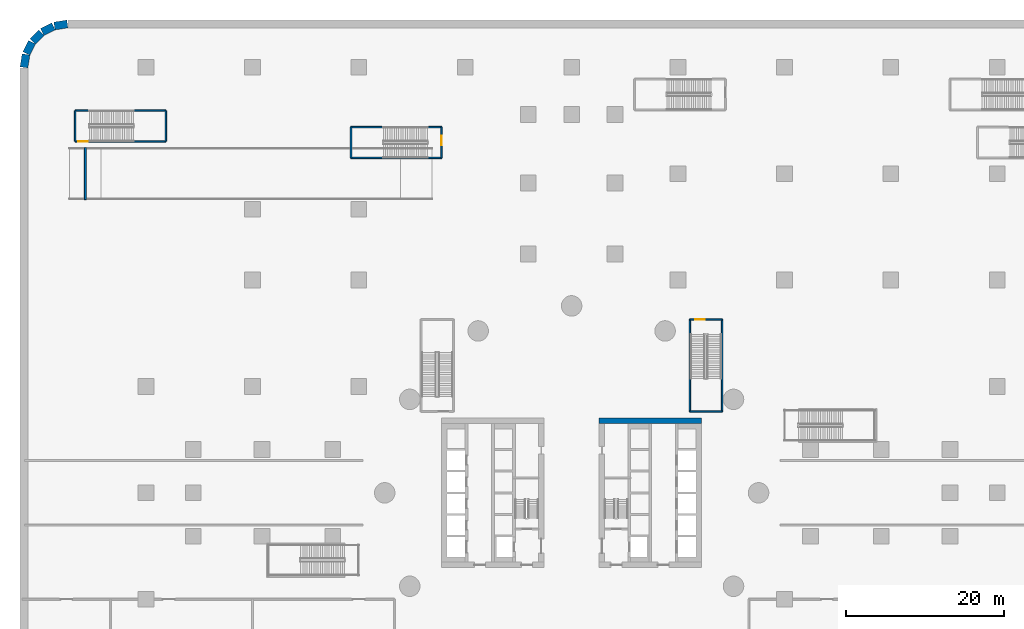
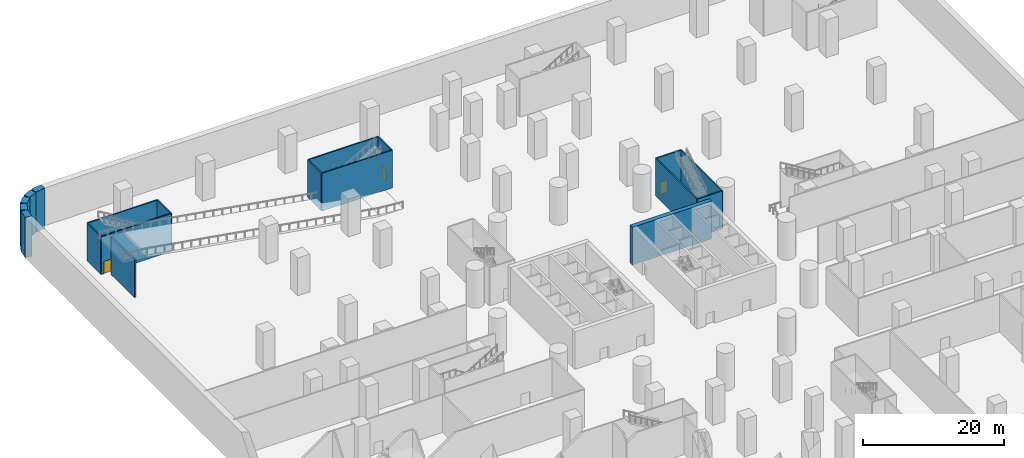
# One storey, part 8 of 30: 19 walls, 3 doors, 3 openings.
"""IFC4 building model written with IfcOpenShell, lengths in metres."""

from ifc_helpers import new_model, si_unit, direction, frame, frame_2d, origin, place, context, subcontext, project, spatial, rectangle, extrude, material, layer, layer_set, type_object, element, fill, save


model = new_model("IFC4")

# Units and contexts
model_context = context("Model", 3, precision=1e-05, world=origin(), true_north=direction((0.0, 1.0)))
body_context = subcontext(model_context, "Body", "Model", "MODEL_VIEW")
ifc_project = project(units=[si_unit("LENGTHUNIT", "METRE"), si_unit("AREAUNIT", "SQUARE_METRE"), si_unit("VOLUMEUNIT", "CUBIC_METRE"), si_unit("PLANEANGLEUNIT", "RADIAN"), si_unit("MASSUNIT", "GRAM", prefix="KILO")], contexts=[model_context])

# Site, building, storey
site_placement = place(None, origin())
site = spatial("IfcSite", under=ifc_project, at=site_placement, CompositionType="ELEMENT")
building_placement = place(site_placement, origin())
building = spatial("IfcBuilding", under=site, at=building_placement, Name="Tamarind Cross Interchange Tower", CompositionType="ELEMENT")
storey_placement = place(building_placement, frame((0.0, 0.0, -14.0)))
storey = spatial("IfcBuildingStorey", under=building, at=storey_placement, Name="B2", CompositionType="ELEMENT", Elevation=-14.0)

# Walls
ifc_material_1 = material(Name="Concrete C40", Category="concrete")
ifc_layer_1 = layer(ifc_material_1, 1.0)
ifc_layer_set_1 = layer_set([ifc_layer_1], Name="Concrete C40")
wall_type_1 = type_object("IfcWallType", Name="Basement wall 1000 Concrete C40", PredefinedType="SOLIDWALL", material=ifc_layer_set_1)
wall_1_placement = place(storey_placement, frame((-69.495361328125, 53.989501953125, -0.449951171875), z_axis=(0.0, 0.0, 1.0), x_axis=(0.156430639922, 0.987688946427, 0.0)))
element("IfcWall", 1, at=wall_1_placement, inside=storey, type_object=wall_type_1, Name="Basement wall B2-8", PredefinedType="SOLIDWALL", context=body_context, shape_type="SweptSolid", body=[
    extrude(rectangle(XDim=1.66064453125, YDim=1.0, at=frame_2d((0.830322265625, 0.0))), origin(), (0.0, 0.0, 1.0), 7.0),
])
for number, where, z_axis, x_axis, name in (
    (2, (-69.193603515625, 55.759033203125, -0.449951171875), (0.0, 0.0, 1.0), (0.453995177443, 0.891004140764, 0.0), "Basement wall B2-9"),
    (3, (-68.395751953125, 57.27783203125, -0.449951171875), (0.0, 0.0, 1.0), (0.707106781187, 0.707106781187, 0.0), "Basement wall B2-10"),
    (4, (-67.167724609375, 58.475830078125, -0.449951171875), (0.0, 0.0, 1.0), (0.891004140764, 0.453995177443, 0.0), "Basement wall B2-11"),
):
    element("IfcWall", number, at=place(storey_placement, frame(where, z_axis=z_axis, x_axis=x_axis)), inside=storey, type_object=wall_type_1, Name=name, PredefinedType="SOLIDWALL", context=body_context, shape_type="SweptSolid", body=[
        extrude(rectangle(XDim=1.5810546875, YDim=1.0, at=frame_2d((0.79052734375, 0.0))), origin(), (0.0, 0.0, 1.0), 7.0),
    ])
wall_2_placement = place(storey_placement, frame((-65.629638671875, 59.235595703125, -0.449951171875), z_axis=(0.0, 0.0, 1.0), x_axis=(0.987688946427, 0.156430639922, 0.0)))
element("IfcWall", 5, at=wall_2_placement, inside=storey, type_object=wall_type_1, Name="Basement wall B2-12", PredefinedType="SOLIDWALL", context=body_context, shape_type="SweptSolid", body=[
    extrude(rectangle(XDim=1.66064453125, YDim=1.0, at=frame_2d((0.830322265625, 0.0))), origin(), (0.0, 0.0, 1.0), 7.0),
])
ifc_material_2 = material(Name="Concrete C80", Category="concrete")
ifc_layer_2 = layer(ifc_material_2, 0.699951171875)
ifc_layer_set_2 = layer_set([ifc_layer_2], Name="Concrete C80")
wall_type_2 = type_object("IfcWallType", Name="Core wall 700 mm Concrete C80", PredefinedType="SHEAR", material=ifc_layer_set_2)
wall_3_placement = place(storey_placement, frame((16.5, 9.14990234375, 0.0), z_axis=(0.0, 0.0, 1.0), x_axis=(-1.0, 0.0, 0.0)))
element("IfcWall", 6, at=wall_3_placement, inside=storey, type_object=wall_type_2, Name="Core wall CWL-B2-E-NE", PredefinedType="SHEAR", context=body_context, shape_type="SweptSolid", body=[
    extrude(rectangle(XDim=13.0, YDim=0.699951171875, at=frame_2d((6.5, 0.0))), origin(), (0.0, 0.0, 1.0), 6.550048828125),
])
ifc_layer_3 = layer(ifc_material_1, 0.25)
ifc_layer_set_3 = layer_set([ifc_layer_3], Name="Concrete C40")
wall_type_3 = type_object("IfcWallType", Name="Ramp support wall 250", PredefinedType="SOLIDWALL", material=ifc_layer_set_3)
wall_4_placement = place(storey_placement, frame((-61.699951171875, 37.199951171875, 0.0), z_axis=(0.0, 0.0, 1.0), x_axis=(0.0, 1.0, 0.0)))
element("IfcWall", 7, at=wall_4_placement, inside=storey, type_object=wall_type_3, Name="Car park ramp RB support wall", PredefinedType="SOLIDWALL", context=body_context, shape_type="SweptSolid", body=[
    extrude(rectangle(XDim=6.60009765625, YDim=0.25, at=frame_2d((3.300048828125, 0.0))), origin(), (0.0, 0.0, 1.0), 6.4833984375),
])
ifc_layer_4 = layer(ifc_material_1, 0.199951171875)
ifc_layer_set_4 = layer_set([ifc_layer_4], Name="Concrete C40")
wall_type_4 = type_object("IfcWallType", Name="Stair shaft wall 200 EI 180", PredefinedType="PARTITIONING", material=ifc_layer_set_4)
wall_5_placement = place(storey_placement, frame((-63.0, 48.5, 0.0), z_axis=(0.0, 0.0, 1.0), x_axis=(1.0, 0.0, 0.0)))
element("IfcWall", 8, at=wall_5_placement, inside=storey, type_object=wall_type_4, Name="B2 stair shaft wall 1", PredefinedType="PARTITIONING", context=body_context, shape_type="SweptSolid", body=[
    extrude(rectangle(XDim=11.5, YDim=0.199951171875, at=frame_2d((5.75, 0.0))), origin(), (0.0, 0.0, 1.0), 6.550048828125),
])
wall_6_placement = place(storey_placement, frame((-51.5, 44.60009765625, 0.0), z_axis=(0.0, 0.0, 1.0), x_axis=(0.0, 1.0, 0.0)))
element("IfcWall", 9, at=wall_6_placement, inside=storey, type_object=wall_type_4, Name="B2 stair shaft wall 2", PredefinedType="PARTITIONING", context=body_context, shape_type="SweptSolid", body=[
    extrude(rectangle(XDim=3.89990234375, YDim=0.199951171875, at=frame_2d((1.949951171875, 0.0))), origin(), (0.0, 0.0, 1.0), 6.550048828125),
])

# Wall, opening, door
wall_7_placement = place(storey_placement, frame((-63.0, 44.60009765625, 0.0), z_axis=(0.0, 0.0, 1.0), x_axis=(1.0, 0.0, 0.0)))
wall_7 = element("IfcWall", 10, at=wall_7_placement, inside=storey, type_object=wall_type_4, Name="B2 stair shaft wall 3", PredefinedType="PARTITIONING", context=body_context, shape_type="SweptSolid", body=[
    extrude(rectangle(XDim=11.5, YDim=0.199951171875, at=frame_2d((5.75, 0.0))), origin(), (0.0, 0.0, 1.0), 6.550048828125),
])
opening_1_placement = place(wall_7_placement, frame((0.39599609375, 0.0, 0.0)))
opening_1 = element("IfcOpeningElement", 11, at=opening_1_placement, cuts=wall_7, Name="Opening DB2-06", PredefinedType="OPENING", context=body_context, shape_type="SweptSolid", body=[
    extrude(rectangle(XDim=1.199951171875, YDim=2.10009765625, at=frame_2d((0.60009765625, 1.050048828125))), frame((0.0, 0.10986328125, 0.0), z_axis=(0.0, -1.0, 0.0), x_axis=(1.0, 0.0, 0.0)), (0.0, 0.0, 1.0), 0.219970703125),
])
ifc_material_3 = material(Name="Steel, fire-resisting", Category="steel")
door_type = type_object("IfcDoorType", Name="Podium door 1200 x 2100 FD90", OperationType="SINGLE_SWING_LEFT", PredefinedType="DOOR", material=ifc_material_3)
door_1_placement = place(opening_1_placement, origin())
door_1 = element("IfcDoor", 12, at=door_1_placement, inside=storey, type_object=door_type, Name="B2 door Exit Stair PX5", OperationType="SINGLE_SWING_RIGHT", OverallHeight=2.10009765625, OverallWidth=1.199951171875, PredefinedType="DOOR", context=body_context, shape_type="SweptSolid", body=[
    extrude(rectangle(XDim=1.199951171875, YDim=2.10009765625, at=frame_2d((0.60009765625, 1.050048828125))), frame((0.0, 0.02490234375, 0.0), z_axis=(0.0, -1.0, 0.0), x_axis=(1.0, 0.0, 0.0)), (0.0, 0.0, 1.0), 0.050048828125),
])
fill(opening_1, door_1)

# Walls
wall_8_placement = place(storey_placement, frame((-63.0, 44.60009765625, 0.0), z_axis=(0.0, 0.0, 1.0), x_axis=(0.0, 1.0, 0.0)))
element("IfcWall", 13, at=wall_8_placement, inside=storey, type_object=wall_type_4, Name="B2 stair shaft wall 4", PredefinedType="PARTITIONING", context=body_context, shape_type="SweptSolid", body=[
    extrude(rectangle(XDim=3.89990234375, YDim=0.199951171875, at=frame_2d((1.949951171875, 0.0))), origin(), (0.0, 0.0, 1.0), 6.550048828125),
])
wall_9_placement = place(storey_placement, frame((-28.0, 42.5, 0.0), z_axis=(0.0, 0.0, 1.0), x_axis=(1.0, 0.0, 0.0)))
element("IfcWall", 14, at=wall_9_placement, inside=storey, type_object=wall_type_4, Name="B2 stair shaft wall 21", PredefinedType="PARTITIONING", context=body_context, shape_type="SweptSolid", body=[
    extrude(rectangle(XDim=11.5, YDim=0.199951171875, at=frame_2d((5.75, 0.0))), origin(), (0.0, 0.0, 1.0), 6.550048828125),
])
wall_10_placement = place(storey_placement, frame((-28.0, 42.5, 0.0), z_axis=(0.0, 0.0, 1.0), x_axis=(0.0, 1.0, 0.0)))
element("IfcWall", 15, at=wall_10_placement, inside=storey, type_object=wall_type_4, Name="B2 stair shaft wall 22", PredefinedType="PARTITIONING", context=body_context, shape_type="SweptSolid", body=[
    extrude(rectangle(XDim=3.89990234375, YDim=0.199951171875, at=frame_2d((1.949951171875, 0.0))), origin(), (0.0, 0.0, 1.0), 6.550048828125),
])
wall_11_placement = place(storey_placement, frame((-28.0, 46.39990234375, 0.0), z_axis=(0.0, 0.0, 1.0), x_axis=(1.0, 0.0, 0.0)))
element("IfcWall", 16, at=wall_11_placement, inside=storey, type_object=wall_type_4, Name="B2 stair shaft wall 23", PredefinedType="PARTITIONING", context=body_context, shape_type="SweptSolid", body=[
    extrude(rectangle(XDim=11.5, YDim=0.199951171875, at=frame_2d((5.75, 0.0))), origin(), (0.0, 0.0, 1.0), 6.550048828125),
])

# Wall, opening, door
wall_12_placement = place(storey_placement, frame((-16.5, 42.5, 0.0), z_axis=(0.0, 0.0, 1.0), x_axis=(0.0, 1.0, 0.0)))
wall_12 = element("IfcWall", 17, at=wall_12_placement, inside=storey, type_object=wall_type_4, Name="B2 stair shaft wall 24", PredefinedType="PARTITIONING", context=body_context, shape_type="SweptSolid", body=[
    extrude(rectangle(XDim=3.89990234375, YDim=0.199951171875, at=frame_2d((1.949951171875, 0.0))), origin(), (0.0, 0.0, 1.0), 6.550048828125),
])
opening_2_placement = place(wall_12_placement, frame((1.610107421875, 0.0, 0.0)))
opening_2 = element("IfcOpeningElement", 18, at=opening_2_placement, cuts=wall_12, Name="Opening DB2-07", PredefinedType="OPENING", context=body_context, shape_type="SweptSolid", body=[
    extrude(rectangle(XDim=1.199951171875, YDim=2.10009765625, at=frame_2d((0.60009765625, 1.050048828125))), frame((0.0, 0.10986328125, 0.0), z_axis=(0.0, -1.0, 0.0), x_axis=(1.0, 0.0, 0.0)), (0.0, 0.0, 1.0), 0.219970703125),
])
door_2_placement = place(opening_2_placement, origin())
door_2 = element("IfcDoor", 19, at=door_2_placement, inside=storey, type_object=door_type, Name="B2 door Exit Stair PX6", OperationType="SINGLE_SWING_LEFT", OverallHeight=2.10009765625, OverallWidth=1.199951171875, PredefinedType="DOOR", context=body_context, shape_type="SweptSolid", body=[
    extrude(rectangle(XDim=1.199951171875, YDim=2.10009765625, at=frame_2d((0.60009765625, 1.050048828125))), frame((0.0, 0.02490234375, 0.0), z_axis=(0.0, -1.0, 0.0), x_axis=(1.0, 0.0, 0.0)), (0.0, 0.0, 1.0), 0.050048828125),
])
fill(opening_2, door_2)

# Wall
wall_13_placement = place(storey_placement, frame((15.0, 10.300048828125, 0.0), z_axis=(0.0, 0.0, 1.0), x_axis=(0.0, 1.0, 0.0)))
element("IfcWall", 20, at=wall_13_placement, inside=storey, type_object=wall_type_4, Name="B2 stair shaft wall 29", PredefinedType="PARTITIONING", context=body_context, shape_type="SweptSolid", body=[
    extrude(rectangle(XDim=11.699951171875, YDim=0.199951171875, at=frame_2d((5.85009765625, 0.0))), origin(), (0.0, 0.0, 1.0), 6.550048828125),
])

# Wall, opening, door
wall_14_placement = place(storey_placement, frame((15.0, 22.0, 0.0), z_axis=(0.0, 0.0, 1.0), x_axis=(1.0, 0.0, 0.0)))
wall_14 = element("IfcWall", 21, at=wall_14_placement, inside=storey, type_object=wall_type_4, Name="B2 stair shaft wall 30", PredefinedType="PARTITIONING", context=body_context, shape_type="SweptSolid", body=[
    extrude(rectangle(XDim=4.10009765625, YDim=0.199951171875, at=frame_2d((2.050048828125, 0.0))), origin(), (0.0, 0.0, 1.0), 6.550048828125),
])
opening_3_placement = place(wall_14_placement, frame((0.659912109375, 0.0, 0.0)))
opening_3 = element("IfcOpeningElement", 22, at=opening_3_placement, cuts=wall_14, Name="Opening DB2-02", PredefinedType="OPENING", context=body_context, shape_type="SweptSolid", body=[
    extrude(rectangle(XDim=1.199951171875, YDim=2.10009765625, at=frame_2d((0.60009765625, 1.050048828125))), frame((0.0, 0.10986328125, 0.0), z_axis=(0.0, -1.0, 0.0), x_axis=(1.0, 0.0, 0.0)), (0.0, 0.0, 1.0), 0.219970703125),
])
door_3_placement = place(opening_3_placement, origin())
door_3 = element("IfcDoor", 23, at=door_3_placement, inside=storey, type_object=door_type, Name="B2 door Car Park Exit Stair East", OperationType="SINGLE_SWING_RIGHT", OverallHeight=2.10009765625, OverallWidth=1.199951171875, PredefinedType="DOOR", context=body_context, shape_type="SweptSolid", body=[
    extrude(rectangle(XDim=1.199951171875, YDim=2.10009765625, at=frame_2d((0.60009765625, 1.050048828125))), frame((0.0, 0.02490234375, 0.0), z_axis=(0.0, -1.0, 0.0), x_axis=(1.0, 0.0, 0.0)), (0.0, 0.0, 1.0), 0.050048828125),
])
fill(opening_3, door_3)

# Walls
wall_15_placement = place(storey_placement, frame((19.10009765625, 10.300048828125, 0.0), z_axis=(0.0, 0.0, 1.0), x_axis=(0.0, 1.0, 0.0)))
element("IfcWall", 24, at=wall_15_placement, inside=storey, type_object=wall_type_4, Name="B2 stair shaft wall 31", PredefinedType="PARTITIONING", context=body_context, shape_type="SweptSolid", body=[
    extrude(rectangle(XDim=11.699951171875, YDim=0.199951171875, at=frame_2d((5.85009765625, 0.0))), origin(), (0.0, 0.0, 1.0), 6.550048828125),
])
wall_16_placement = place(storey_placement, frame((15.0, 10.300048828125, 0.0), z_axis=(0.0, 0.0, 1.0), x_axis=(1.0, 0.0, 0.0)))
element("IfcWall", 25, at=wall_16_placement, inside=storey, type_object=wall_type_4, Name="B2 stair shaft wall 32", PredefinedType="PARTITIONING", context=body_context, shape_type="SweptSolid", body=[
    extrude(rectangle(XDim=4.10009765625, YDim=0.199951171875, at=frame_2d((2.050048828125, 0.0))), origin(), (0.0, 0.0, 1.0), 6.550048828125),
])

save(model, "model.ifc")
